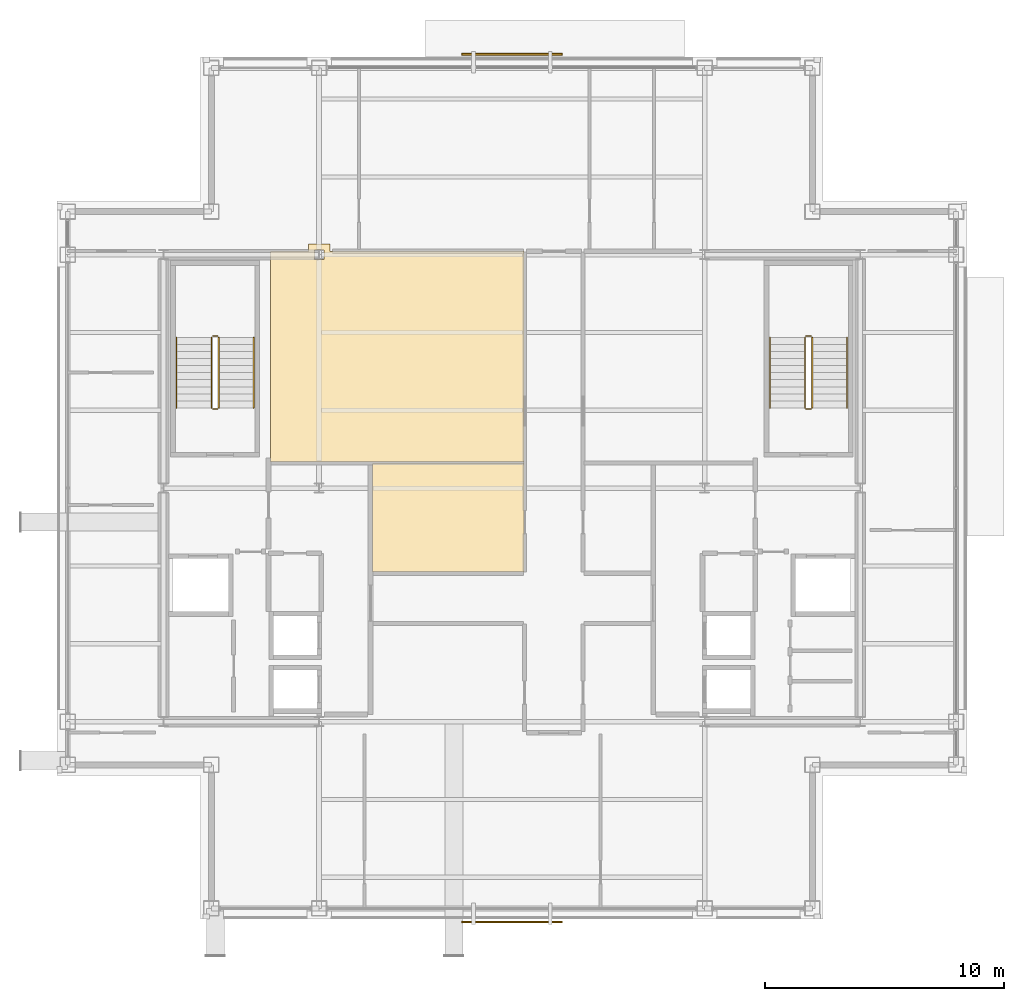
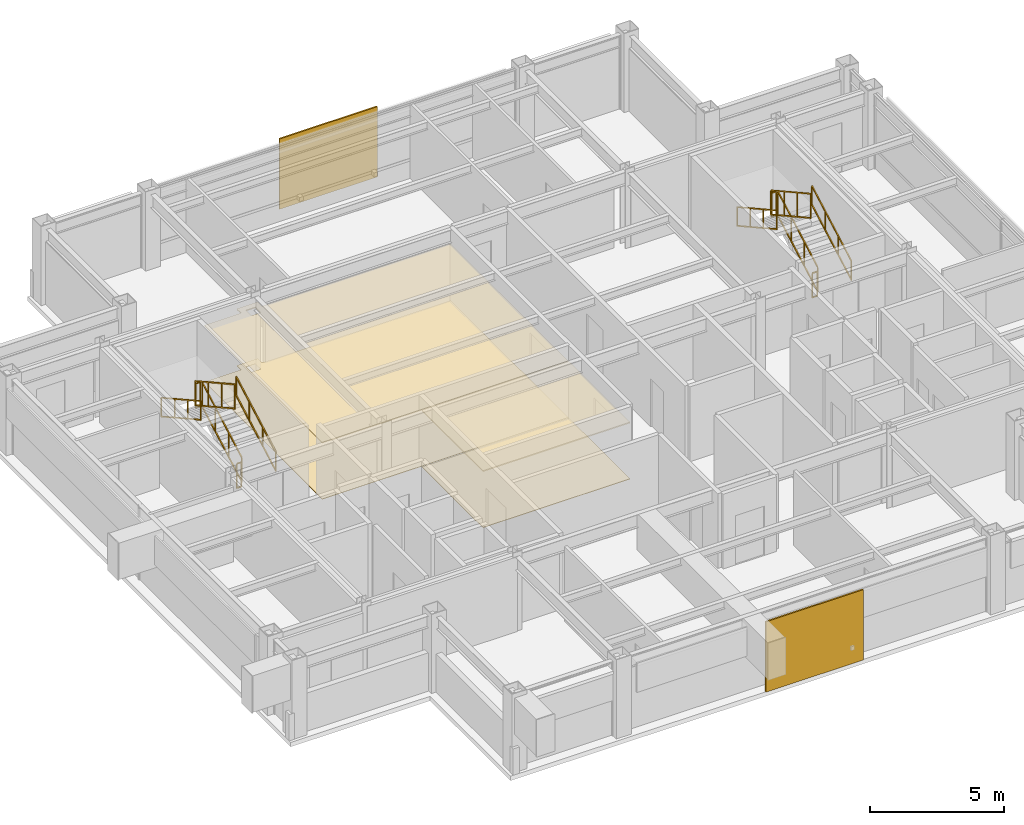
# One storey, part 20 of 20: 12 railings, 4 coverings, 2 shading devices.
"""IFC4 building model written with IfcOpenShell, lengths in metres."""

from ifc_helpers import new_model, si_unit, direction, frame, origin, origin_2d, place, context, subcontext, project, spatial, polyline, rectangle, outline, extrude, material, layer, layer_set, type_object, element, save


model = new_model("IFC4")

# Units and contexts
model_context = context("Model", 3, precision=1e-05, world=origin(), true_north=direction((0.0, 1.0)))
body_context = subcontext(model_context, "Body", "Model", "MODEL_VIEW")
ifc_project = project(units=[si_unit("LENGTHUNIT", "METRE"), si_unit("AREAUNIT", "SQUARE_METRE"), si_unit("VOLUMEUNIT", "CUBIC_METRE"), si_unit("PLANEANGLEUNIT", "RADIAN"), si_unit("MASSUNIT", "GRAM", prefix="KILO")], contexts=[model_context])

# Site, building, storey
site_placement = place(None, origin())
site = spatial("IfcSite", under=ifc_project, at=site_placement, CompositionType="ELEMENT")
building_placement = place(site_placement, origin())
building = spatial("IfcBuilding", under=site, at=building_placement, Name="Brelmoor Portico Tower", CompositionType="ELEMENT")
storey_placement = place(building_placement, frame((0.0, 0.0, 243.60009765625)))
storey = spatial("IfcBuildingStorey", under=building, at=storey_placement, Name="L64", CompositionType="ELEMENT", Elevation=243.60009765625)

# Coverings
ifc_material_1 = material(Name="Powder-Coated Aluminium Acoustic Baffle Ceiling", Category="aluminium")
ifc_layer_1 = layer(ifc_material_1, 0.044921875)
ifc_layer_set_1 = layer_set([ifc_layer_1], Name="Powder-Coated Aluminium Acoustic Baffle Ceiling")
covering_type_1 = type_object("IfcCoveringType", Name="CV-CEIL-BAFFLE-45", PredefinedType="CEILING", material=ifc_layer_set_1)
covering_1_placement = place(storey_placement, frame((0.0, 0.0, 2.5498046875)))
element("IfcCovering", 1, at=covering_1_placement, inside=storey, type_object=covering_type_1, Name="L64 Acoustic Suspended Ceiling 01", PredefinedType="CEILING", context=body_context, shape_type="SweptSolid", body=[
    extrude(outline(polyline([(-10.080078125, 9.8798828125), (-8.5, 9.8798828125), (-8.5, 10.199951171875), (-7.60009765625, 10.199951171875), (-7.60009765625, 9.8798828125), (0.510009765625, 9.8798828125), (0.510009765625, 1.090087890625), (-10.080078125, 1.090087890625), (-10.080078125, 9.8798828125)]), holes=[polyline([(-7.85009765625, 9.550048828125), (-7.85009765625, 9.949951171875), (-8.25, 9.949951171875), (-8.25, 9.550048828125), (-7.85009765625, 9.550048828125)])]), origin(), (0.0, 0.0, 1.0), 0.045166015625),
])
ifc_material_2 = material(Name="Slatted FSC Oak Acoustic Feature Ceiling", Category="timber")
ifc_layer_2 = layer(ifc_material_2, 0.052001953125)
ifc_layer_set_2 = layer_set([ifc_layer_2], Name="Slatted FSC Oak Acoustic Feature Ceiling")
covering_type_2 = type_object("IfcCoveringType", Name="CV-CEIL-TIMBER-52", PredefinedType="CEILING", material=ifc_layer_set_2)
covering_2_placement = place(storey_placement, frame((0.0, 0.0, 2.5498046875)))
element("IfcCovering", 2, at=covering_2_placement, inside=storey, type_object=covering_type_2, Name="L64 Acoustic Suspended Ceiling 02", PredefinedType="CEILING", context=body_context, shape_type="SweptSolid", body=[
    extrude(outline(polyline([(-5.820068359375, -3.510009765625), (-5.820068359375, 1.0400390625), (0.510009765625, 1.0400390625), (0.510009765625, -3.510009765625), (-5.820068359375, -3.510009765625)])), origin(), (0.0, 0.0, 1.0), 0.052001953125),
])
ifc_material_3 = material(Name="Rectified Vitrified Porcelain Floor Tile", Category="ceramic")
ifc_layer_3 = layer(ifc_material_3, 0.01806640625)
ifc_layer_set_3 = layer_set([ifc_layer_3], Name="Rectified Vitrified Porcelain Floor Tile")
covering_type_3 = type_object("IfcCoveringType", Name="CV-FLR-PORCELAIN-18", PredefinedType="FLOORING", material=ifc_layer_set_3)
covering_3_placement = place(storey_placement, origin())
element("IfcCovering", 3, at=covering_3_placement, inside=storey, type_object=covering_type_3, Name="L64 Architectural Floor Finish 01", PredefinedType="FLOORING", context=body_context, shape_type="SweptSolid", body=[
    extrude(outline(polyline([(-10.080078125, 9.8798828125), (-8.5, 9.8798828125), (-8.5, 10.199951171875), (-7.60009765625, 10.199951171875), (-7.60009765625, 9.8798828125), (0.510009765625, 9.8798828125), (0.510009765625, 1.090087890625), (-10.080078125, 1.090087890625), (-10.080078125, 9.8798828125)]), holes=[polyline([(-7.85009765625, 9.550048828125), (-7.85009765625, 9.949951171875), (-8.25, 9.949951171875), (-8.25, 9.550048828125), (-7.85009765625, 9.550048828125)])]), origin(), (0.0, 0.0, 1.0), 0.017822265625),
])
ifc_material_4 = material(Name="Engineered Quarter-Sawn Oak Parquet Flooring", Category="timber")
ifc_layer_4 = layer(ifc_material_4, 0.02197265625)
ifc_layer_set_4 = layer_set([ifc_layer_4], Name="Engineered Quarter-Sawn Oak Parquet Flooring")
covering_type_4 = type_object("IfcCoveringType", Name="CV-FLR-TIMBER-22", PredefinedType="FLOORING", material=ifc_layer_set_4)
covering_4_placement = place(storey_placement, origin())
element("IfcCovering", 4, at=covering_4_placement, inside=storey, type_object=covering_type_4, Name="L64 Architectural Floor Finish 02", PredefinedType="FLOORING", context=body_context, shape_type="SweptSolid", body=[
    extrude(outline(polyline([(-5.820068359375, -3.510009765625), (-5.820068359375, 1.0400390625), (0.510009765625, 1.0400390625), (0.510009765625, -3.510009765625), (-5.820068359375, -3.510009765625)])), origin(), (0.0, 0.0, 1.0), 0.02197265625),
])

# Railings
ifc_material_5 = material(Name="Painted Tubular Steel Q235B", Category="steel")
railing_type_1 = type_object("IfcRailingType", Name="RL-STAIR-GUARD", PredefinedType="GUARDRAIL", material=ifc_material_5)
railing_1_placement = place(storey_placement, frame((-12.239990234375, 3.35009765625, 0.16357421875)))
element("IfcRailing", 5, at=railing_1_placement, inside=storey, type_object=railing_type_1, Name="L64 ST-W stair guard 1", PredefinedType="GUARDRAIL", context=body_context, shape_type="SweptSolid", body=[
    extrude(rectangle(XDim=0.048095703125, YDim=0.048095703125, at=origin_2d()), frame((0.0, 0.0, 1.1259765625), z_axis=(0.0, 0.87448821551, 0.485046761595), x_axis=(-1.0, 0.0, 0.0)), (0.0, 0.0, 1.0), 3.373291015625),
    extrude(rectangle(XDim=0.048095703125, YDim=0.048095703125, at=origin_2d()), frame((0.0, 0.0, 0.02392578125), z_axis=(0.0, 0.87448821551, 0.485046761595), x_axis=(-1.0, 0.0, 0.0)), (0.0, 0.0, 1.0), 3.373291015625),
    extrude(rectangle(XDim=0.0419921875, YDim=0.0419921875, at=origin_2d()), origin(), (0.0, 0.0, 1.0), 1.101806640625),
    extrude(rectangle(XDim=0.0419921875, YDim=0.0419921875, at=origin_2d()), frame((0.0, 0.9833984375, 0.54541015625)), (0.0, 0.0, 1.0), 1.101806640625),
    extrude(rectangle(XDim=0.0419921875, YDim=0.0419921875, at=origin_2d()), frame((0.0, 1.966552734375, 1.0908203125)), (0.0, 0.0, 1.0), 1.101806640625),
    extrude(rectangle(XDim=0.0419921875, YDim=0.0419921875, at=origin_2d()), frame((0.0, 2.949951171875, 1.63623046875)), (0.0, 0.0, 1.0), 1.101806640625),
])
railing_2_placement = place(storey_placement, frame((-12.2900390625, 6.35009765625, 1.7998046875)))
element("IfcRailing", 6, at=railing_2_placement, inside=storey, type_object=railing_type_1, Name="L64 ST-W stair guard 2", PredefinedType="GUARDRAIL", context=body_context, shape_type="SweptSolid", body=[
    extrude(rectangle(XDim=0.048095703125, YDim=0.048095703125, at=origin_2d()), frame((0.0, 0.0, 1.1259765625), z_axis=(-1.0, 0.0, 0.0), x_axis=(0.0, -1.0, 0.0)), (0.0, 0.0, 1.0), 0.199951171875),
    extrude(rectangle(XDim=0.048095703125, YDim=0.048095703125, at=origin_2d()), frame((0.0, 0.0, 0.02392578125), z_axis=(-1.0, 0.0, 0.0), x_axis=(0.0, -1.0, 0.0)), (0.0, 0.0, 1.0), 0.199951171875),
    extrude(rectangle(XDim=0.0419921875, YDim=0.0419921875, at=origin_2d()), origin(), (0.0, 0.0, 1.0), 1.101806640625),
    extrude(rectangle(XDim=0.0419921875, YDim=0.0419921875, at=origin_2d()), frame((-0.199951171875, 0.0, 0.0)), (0.0, 0.0, 1.0), 1.101806640625),
])
railing_3_placement = place(storey_placement, frame((-12.5400390625, 6.300048828125, 1.963623046875)))
element("IfcRailing", 7, at=railing_3_placement, inside=storey, type_object=railing_type_1, Name="L64 ST-W stair guard 3", PredefinedType="GUARDRAIL", context=body_context, shape_type="SweptSolid", body=[
    extrude(rectangle(XDim=0.048095703125, YDim=0.048095703125, at=origin_2d()), frame((0.0, 0.0, 1.1259765625), z_axis=(0.0, -0.87448821551, 0.485046761595), x_axis=(1.0, 0.0, 0.0)), (0.0, 0.0, 1.0), 3.373291015625),
    extrude(rectangle(XDim=0.048095703125, YDim=0.048095703125, at=origin_2d()), frame((0.0, 0.0, 0.02392578125), z_axis=(0.0, -0.87448821551, 0.485046761595), x_axis=(1.0, 0.0, 0.0)), (0.0, 0.0, 1.0), 3.373291015625),
    extrude(rectangle(XDim=0.0419921875, YDim=0.0419921875, at=origin_2d()), origin(), (0.0, 0.0, 1.0), 1.101806640625),
    extrude(rectangle(XDim=0.0419921875, YDim=0.0419921875, at=origin_2d()), frame((0.0, -0.9833984375, 0.54541015625)), (0.0, 0.0, 1.0), 1.101806640625),
    extrude(rectangle(XDim=0.0419921875, YDim=0.0419921875, at=origin_2d()), frame((0.0, -1.966552734375, 1.0908203125)), (0.0, 0.0, 1.0), 1.101806640625),
    extrude(rectangle(XDim=0.0419921875, YDim=0.0419921875, at=origin_2d()), frame((0.0, -2.949951171875, 1.63623046875)), (0.0, 0.0, 1.0), 1.101806640625),
])
railing_4_placement = place(storey_placement, frame((-12.2900390625, 3.300048828125, 0.0)))
element("IfcRailing", 8, at=railing_4_placement, inside=storey, type_object=railing_type_1, Name="L64 ST-W stair guard 4", PredefinedType="GUARDRAIL", context=body_context, shape_type="SweptSolid", body=[
    extrude(rectangle(XDim=0.048095703125, YDim=0.048095703125, at=origin_2d()), frame((0.0, 0.0, 1.1259765625), z_axis=(-1.0, 0.0, 0.0), x_axis=(0.0, -1.0, 0.0)), (0.0, 0.0, 1.0), 0.199951171875),
    extrude(rectangle(XDim=0.048095703125, YDim=0.048095703125, at=origin_2d()), frame((0.0, 0.0, 0.02392578125), z_axis=(-1.0, 0.0, 0.0), x_axis=(0.0, -1.0, 0.0)), (0.0, 0.0, 1.0), 0.199951171875),
    extrude(rectangle(XDim=0.0419921875, YDim=0.0419921875, at=origin_2d()), origin(), (0.0, 0.0, 1.0), 1.101806640625),
    extrude(rectangle(XDim=0.0419921875, YDim=0.0419921875, at=origin_2d()), frame((-0.199951171875, 0.0, 0.0)), (0.0, 0.0, 1.0), 1.101806640625),
])
railing_5_placement = place(storey_placement, frame((12.5400390625, 3.35009765625, 0.16357421875)))
element("IfcRailing", 9, at=railing_5_placement, inside=storey, type_object=railing_type_1, Name="L64 ST-E stair guard 1", PredefinedType="GUARDRAIL", context=body_context, shape_type="SweptSolid", body=[
    extrude(rectangle(XDim=0.048095703125, YDim=0.048095703125, at=origin_2d()), frame((0.0, 0.0, 1.1259765625), z_axis=(0.0, 0.87448821551, 0.485046761595), x_axis=(-1.0, 0.0, 0.0)), (0.0, 0.0, 1.0), 3.373291015625),
    extrude(rectangle(XDim=0.048095703125, YDim=0.048095703125, at=origin_2d()), frame((0.0, 0.0, 0.02392578125), z_axis=(0.0, 0.87448821551, 0.485046761595), x_axis=(-1.0, 0.0, 0.0)), (0.0, 0.0, 1.0), 3.373291015625),
    extrude(rectangle(XDim=0.0419921875, YDim=0.0419921875, at=origin_2d()), origin(), (0.0, 0.0, 1.0), 1.101806640625),
    extrude(rectangle(XDim=0.0419921875, YDim=0.0419921875, at=origin_2d()), frame((0.0, 0.9833984375, 0.54541015625)), (0.0, 0.0, 1.0), 1.101806640625),
    extrude(rectangle(XDim=0.0419921875, YDim=0.0419921875, at=origin_2d()), frame((0.0, 1.966552734375, 1.0908203125)), (0.0, 0.0, 1.0), 1.101806640625),
    extrude(rectangle(XDim=0.0419921875, YDim=0.0419921875, at=origin_2d()), frame((0.0, 2.949951171875, 1.63623046875)), (0.0, 0.0, 1.0), 1.101806640625),
])
railing_6_placement = place(storey_placement, frame((12.489990234375, 6.35009765625, 1.7998046875)))
element("IfcRailing", 10, at=railing_6_placement, inside=storey, type_object=railing_type_1, Name="L64 ST-E stair guard 2", PredefinedType="GUARDRAIL", context=body_context, shape_type="SweptSolid", body=[
    extrude(rectangle(XDim=0.048095703125, YDim=0.048095703125, at=origin_2d()), frame((0.0, 0.0, 1.1259765625), z_axis=(-1.0, 0.0, 0.0), x_axis=(0.0, -1.0, 0.0)), (0.0, 0.0, 1.0), 0.199951171875),
    extrude(rectangle(XDim=0.048095703125, YDim=0.048095703125, at=origin_2d()), frame((0.0, 0.0, 0.02392578125), z_axis=(-1.0, 0.0, 0.0), x_axis=(0.0, -1.0, 0.0)), (0.0, 0.0, 1.0), 0.199951171875),
    extrude(rectangle(XDim=0.0419921875, YDim=0.0419921875, at=origin_2d()), origin(), (0.0, 0.0, 1.0), 1.101806640625),
    extrude(rectangle(XDim=0.0419921875, YDim=0.0419921875, at=origin_2d()), frame((-0.199951171875, 0.0, 0.0)), (0.0, 0.0, 1.0), 1.101806640625),
])
railing_7_placement = place(storey_placement, frame((12.239990234375, 6.300048828125, 1.963623046875)))
element("IfcRailing", 11, at=railing_7_placement, inside=storey, type_object=railing_type_1, Name="L64 ST-E stair guard 3", PredefinedType="GUARDRAIL", context=body_context, shape_type="SweptSolid", body=[
    extrude(rectangle(XDim=0.048095703125, YDim=0.048095703125, at=origin_2d()), frame((0.0, 0.0, 1.1259765625), z_axis=(0.0, -0.87448821551, 0.485046761595), x_axis=(1.0, 0.0, 0.0)), (0.0, 0.0, 1.0), 3.373291015625),
    extrude(rectangle(XDim=0.048095703125, YDim=0.048095703125, at=origin_2d()), frame((0.0, 0.0, 0.02392578125), z_axis=(0.0, -0.87448821551, 0.485046761595), x_axis=(1.0, 0.0, 0.0)), (0.0, 0.0, 1.0), 3.373291015625),
    extrude(rectangle(XDim=0.0419921875, YDim=0.0419921875, at=origin_2d()), origin(), (0.0, 0.0, 1.0), 1.101806640625),
    extrude(rectangle(XDim=0.0419921875, YDim=0.0419921875, at=origin_2d()), frame((0.0, -0.9833984375, 0.54541015625)), (0.0, 0.0, 1.0), 1.101806640625),
    extrude(rectangle(XDim=0.0419921875, YDim=0.0419921875, at=origin_2d()), frame((0.0, -1.966552734375, 1.0908203125)), (0.0, 0.0, 1.0), 1.101806640625),
    extrude(rectangle(XDim=0.0419921875, YDim=0.0419921875, at=origin_2d()), frame((0.0, -2.949951171875, 1.63623046875)), (0.0, 0.0, 1.0), 1.101806640625),
])
railing_8_placement = place(storey_placement, frame((12.489990234375, 3.300048828125, 0.0)))
element("IfcRailing", 12, at=railing_8_placement, inside=storey, type_object=railing_type_1, Name="L64 ST-E stair guard 4", PredefinedType="GUARDRAIL", context=body_context, shape_type="SweptSolid", body=[
    extrude(rectangle(XDim=0.048095703125, YDim=0.048095703125, at=origin_2d()), frame((0.0, 0.0, 1.1259765625), z_axis=(-1.0, 0.0, 0.0), x_axis=(0.0, -1.0, 0.0)), (0.0, 0.0, 1.0), 0.199951171875),
    extrude(rectangle(XDim=0.048095703125, YDim=0.048095703125, at=origin_2d()), frame((0.0, 0.0, 0.02392578125), z_axis=(-1.0, 0.0, 0.0), x_axis=(0.0, -1.0, 0.0)), (0.0, 0.0, 1.0), 0.199951171875),
    extrude(rectangle(XDim=0.0419921875, YDim=0.0419921875, at=origin_2d()), origin(), (0.0, 0.0, 1.0), 1.101806640625),
    extrude(rectangle(XDim=0.0419921875, YDim=0.0419921875, at=origin_2d()), frame((-0.199951171875, 0.0, 0.0)), (0.0, 0.0, 1.0), 1.101806640625),
])
ifc_material_6 = material(Name="Brushed Stainless Steel 304", Category="steel")
railing_type_2 = type_object("IfcRailingType", Name="RL-STAIR-HANDRAIL", PredefinedType="HANDRAIL", material=ifc_material_6)
railing_9_placement = place(storey_placement, frame((-10.780029296875, 3.35009765625, 0.16357421875)))
element("IfcRailing", 13, at=railing_9_placement, inside=storey, type_object=railing_type_2, Name="L64 ST-W stair handrail 1", PredefinedType="HANDRAIL", context=body_context, shape_type="SweptSolid", body=[
    extrude(rectangle(XDim=0.048095703125, YDim=0.048095703125, at=origin_2d()), frame((0.0, 0.0, 0.8759765625), z_axis=(0.0, 0.87448821551, 0.485046761595), x_axis=(-1.0, 0.0, 0.0)), (0.0, 0.0, 1.0), 3.373291015625),
    extrude(rectangle(XDim=0.048095703125, YDim=0.048095703125, at=origin_2d()), frame((0.0, 0.0, 0.02392578125), z_axis=(0.0, 0.87448821551, 0.485046761595), x_axis=(-1.0, 0.0, 0.0)), (0.0, 0.0, 1.0), 3.373291015625),
    extrude(rectangle(XDim=0.0419921875, YDim=0.0419921875, at=origin_2d()), origin(), (0.0, 0.0, 1.0), 0.851806640625),
    extrude(rectangle(XDim=0.0419921875, YDim=0.0419921875, at=origin_2d()), frame((0.0, 0.9833984375, 0.54541015625)), (0.0, 0.0, 1.0), 0.851806640625),
    extrude(rectangle(XDim=0.0419921875, YDim=0.0419921875, at=origin_2d()), frame((0.0, 1.966552734375, 1.0908203125)), (0.0, 0.0, 1.0), 0.851806640625),
    extrude(rectangle(XDim=0.0419921875, YDim=0.0419921875, at=origin_2d()), frame((0.0, 2.949951171875, 1.63623046875)), (0.0, 0.0, 1.0), 0.851806640625),
])
railing_10_placement = place(storey_placement, frame((-14.0, 6.300048828125, 1.963623046875)))
element("IfcRailing", 14, at=railing_10_placement, inside=storey, type_object=railing_type_2, Name="L64 ST-W stair handrail 2", PredefinedType="HANDRAIL", context=body_context, shape_type="SweptSolid", body=[
    extrude(rectangle(XDim=0.048095703125, YDim=0.048095703125, at=origin_2d()), frame((0.0, 0.0, 0.8759765625), z_axis=(0.0, -0.87448821551, 0.485046761595), x_axis=(1.0, 0.0, 0.0)), (0.0, 0.0, 1.0), 3.373291015625),
    extrude(rectangle(XDim=0.048095703125, YDim=0.048095703125, at=origin_2d()), frame((0.0, 0.0, 0.02392578125), z_axis=(0.0, -0.87448821551, 0.485046761595), x_axis=(1.0, 0.0, 0.0)), (0.0, 0.0, 1.0), 3.373291015625),
    extrude(rectangle(XDim=0.0419921875, YDim=0.0419921875, at=origin_2d()), origin(), (0.0, 0.0, 1.0), 0.851806640625),
    extrude(rectangle(XDim=0.0419921875, YDim=0.0419921875, at=origin_2d()), frame((0.0, -0.9833984375, 0.54541015625)), (0.0, 0.0, 1.0), 0.851806640625),
    extrude(rectangle(XDim=0.0419921875, YDim=0.0419921875, at=origin_2d()), frame((0.0, -1.966552734375, 1.0908203125)), (0.0, 0.0, 1.0), 0.851806640625),
    extrude(rectangle(XDim=0.0419921875, YDim=0.0419921875, at=origin_2d()), frame((0.0, -2.949951171875, 1.63623046875)), (0.0, 0.0, 1.0), 0.851806640625),
])
railing_11_placement = place(storey_placement, frame((14.0, 3.35009765625, 0.16357421875)))
element("IfcRailing", 15, at=railing_11_placement, inside=storey, type_object=railing_type_2, Name="L64 ST-E stair handrail 1", PredefinedType="HANDRAIL", context=body_context, shape_type="SweptSolid", body=[
    extrude(rectangle(XDim=0.048095703125, YDim=0.048095703125, at=origin_2d()), frame((0.0, 0.0, 0.8759765625), z_axis=(0.0, 0.87448821551, 0.485046761595), x_axis=(-1.0, 0.0, 0.0)), (0.0, 0.0, 1.0), 3.373291015625),
    extrude(rectangle(XDim=0.048095703125, YDim=0.048095703125, at=origin_2d()), frame((0.0, 0.0, 0.02392578125), z_axis=(0.0, 0.87448821551, 0.485046761595), x_axis=(-1.0, 0.0, 0.0)), (0.0, 0.0, 1.0), 3.373291015625),
    extrude(rectangle(XDim=0.0419921875, YDim=0.0419921875, at=origin_2d()), origin(), (0.0, 0.0, 1.0), 0.851806640625),
    extrude(rectangle(XDim=0.0419921875, YDim=0.0419921875, at=origin_2d()), frame((0.0, 0.9833984375, 0.54541015625)), (0.0, 0.0, 1.0), 0.851806640625),
    extrude(rectangle(XDim=0.0419921875, YDim=0.0419921875, at=origin_2d()), frame((0.0, 1.966552734375, 1.0908203125)), (0.0, 0.0, 1.0), 0.851806640625),
    extrude(rectangle(XDim=0.0419921875, YDim=0.0419921875, at=origin_2d()), frame((0.0, 2.949951171875, 1.63623046875)), (0.0, 0.0, 1.0), 0.851806640625),
])
railing_12_placement = place(storey_placement, frame((10.780029296875, 6.300048828125, 1.963623046875)))
element("IfcRailing", 16, at=railing_12_placement, inside=storey, type_object=railing_type_2, Name="L64 ST-E stair handrail 2", PredefinedType="HANDRAIL", context=body_context, shape_type="SweptSolid", body=[
    extrude(rectangle(XDim=0.048095703125, YDim=0.048095703125, at=origin_2d()), frame((0.0, 0.0, 0.8759765625), z_axis=(0.0, -0.87448821551, 0.485046761595), x_axis=(1.0, 0.0, 0.0)), (0.0, 0.0, 1.0), 3.373291015625),
    extrude(rectangle(XDim=0.048095703125, YDim=0.048095703125, at=origin_2d()), frame((0.0, 0.0, 0.02392578125), z_axis=(0.0, -0.87448821551, 0.485046761595), x_axis=(1.0, 0.0, 0.0)), (0.0, 0.0, 1.0), 3.373291015625),
    extrude(rectangle(XDim=0.0419921875, YDim=0.0419921875, at=origin_2d()), origin(), (0.0, 0.0, 1.0), 0.851806640625),
    extrude(rectangle(XDim=0.0419921875, YDim=0.0419921875, at=origin_2d()), frame((0.0, -0.9833984375, 0.54541015625)), (0.0, 0.0, 1.0), 0.851806640625),
    extrude(rectangle(XDim=0.0419921875, YDim=0.0419921875, at=origin_2d()), frame((0.0, -1.966552734375, 1.0908203125)), (0.0, 0.0, 1.0), 0.851806640625),
    extrude(rectangle(XDim=0.0419921875, YDim=0.0419921875, at=origin_2d()), frame((0.0, -2.949951171875, 1.63623046875)), (0.0, 0.0, 1.0), 0.851806640625),
])

# Shading devices
ifc_material_7 = material(Name="Perforated Pale Champagne Aluminium Solar Screen", Category="aluminium")
ifc_layer_5 = layer(ifc_material_7, 0.06494140625)
ifc_layer_set_5 = layer_set([ifc_layer_5], Name="Perforated Pale Champagne Aluminium Solar Screen")
shading_device_type = type_object("IfcShadingDeviceType", Name="SD-SOLAR-SCREEN", PredefinedType="USERDEFINED", material=ifc_layer_set_5)
for number, where, z_axis, x_axis, name in (
    (17, (0.0, -18.1201171875, 0.10009765625), (0.0, 0.0, 1.0), (1.0, 0.0, 0.0), "L64 Perforated Solar Screen S1"),
    (18, (0.0, 18.1201171875, 0.10009765625), (0.0, 0.0, 1.0), (1.0, 0.0, 0.0), "L64 Perforated Solar Screen N1"),
):
    element("IfcShadingDevice", number, at=place(storey_placement, frame(where, z_axis=z_axis, x_axis=x_axis)), inside=storey, type_object=shading_device_type, Name=name, ObjectType="SCREEN", PredefinedType="USERDEFINED", context=body_context, shape_type="SweptSolid", body=[
        extrude(rectangle(XDim=4.199951171875, YDim=0.06494140625, at=origin_2d()), origin(), (0.0, 0.0, 1.0), 3.199951171875),
    ])

save(model, "model.ifc")
